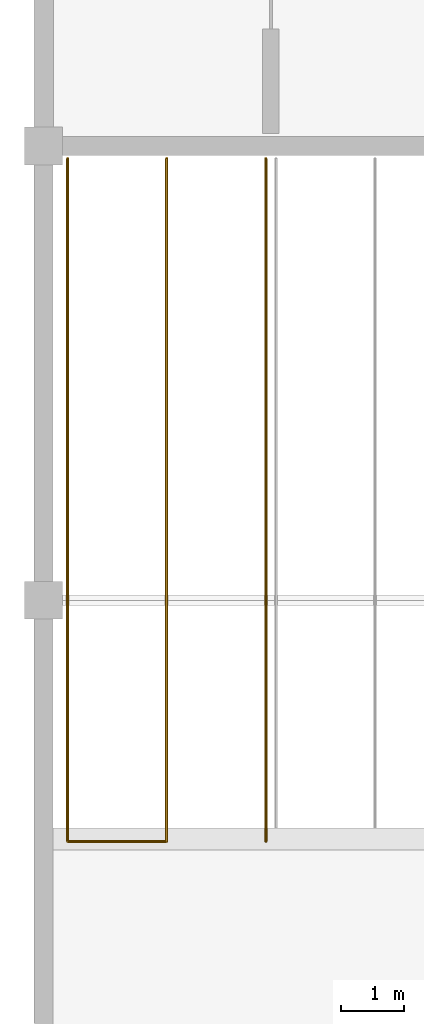
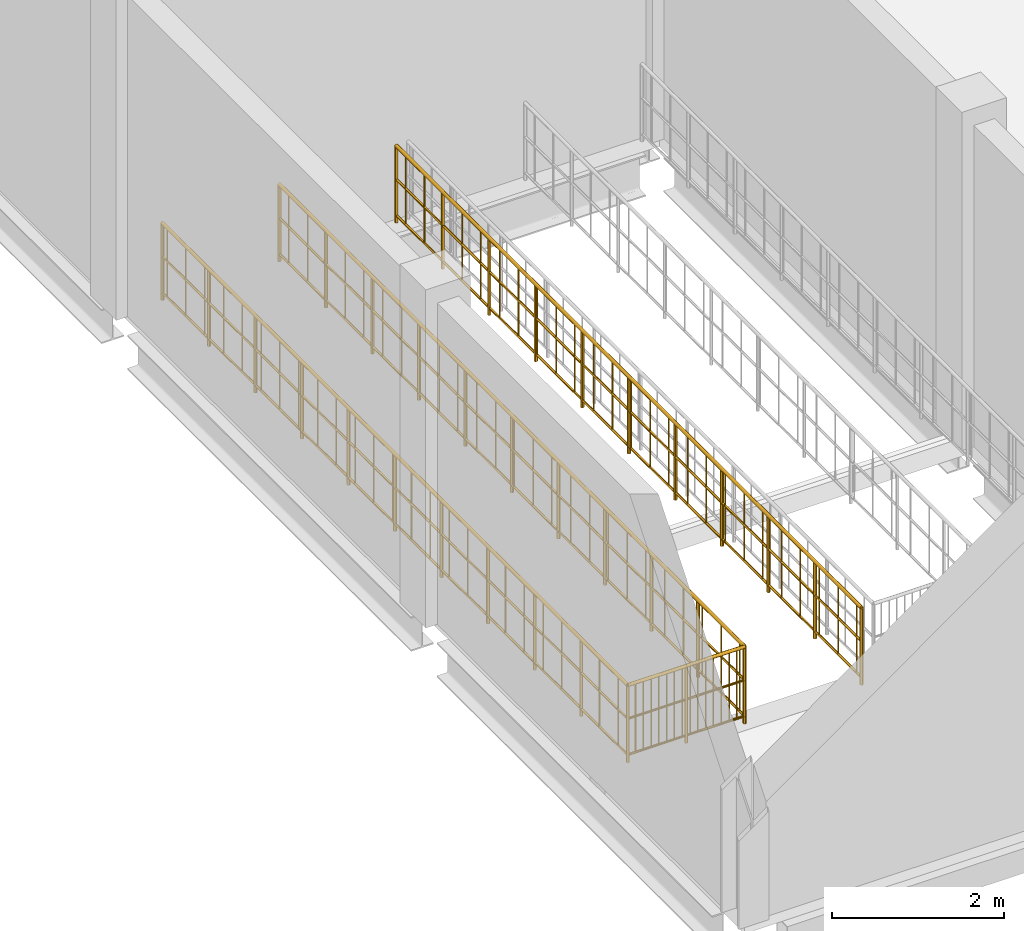
# One storey, part 103 of 120: 2 railings.
"""IFC4 building model written with IfcOpenShell, lengths in metres."""

from ifc_helpers import new_model, si_unit, direction, frame, origin, origin_2d, place, context, subcontext, project, spatial, circle, extrude, material, type_object, element, save


model = new_model("IFC4")

# Units and contexts
model_context = context("Model", 3, precision=1e-05, world=origin(), true_north=direction((0.0, 1.0)))
body_context = subcontext(model_context, "Body", "Model", "MODEL_VIEW")
ifc_project = project(units=[si_unit("LENGTHUNIT", "METRE"), si_unit("AREAUNIT", "SQUARE_METRE"), si_unit("VOLUMEUNIT", "CUBIC_METRE"), si_unit("PLANEANGLEUNIT", "RADIAN"), si_unit("MASSUNIT", "GRAM", prefix="KILO")], contexts=[model_context])

# Site, building, storey
site_placement = place(None, origin())
site = spatial("IfcSite", under=ifc_project, at=site_placement, CompositionType="ELEMENT")
building_placement = place(site_placement, origin())
building = spatial("IfcBuilding", under=site, at=building_placement, Name="Vesperath Aquatics Centre", CompositionType="ELEMENT")
storey_placement = place(building_placement, frame((0.0, 0.0, 10.199951171875)))
storey = spatial("IfcBuildingStorey", under=building, at=storey_placement, Name="L02", CompositionType="ELEMENT", Elevation=10.199951171875)

# Railings
ifc_material = material(Name="Powder-coated galvanized steel safety guard", Category="steel")
railing_type = type_object("IfcRailingType", Name="RL-GRD01", PredefinedType="GUARDRAIL", material=ifc_material)
railing_1_placement = place(storey_placement, frame((0.3798828125, 28.60009765625, 0.0)))
element("IfcRailing", 1, at=railing_1_placement, inside=storey, type_object=railing_type, Name="Stair ST10A Top Well Guard GR02 L02", PredefinedType="GUARDRAIL", context=body_context, shape_type="SweptSolid", body=[
    extrude(circle(Radius=0.02392578125, at=origin_2d()), frame((0.0, 0.0, 1.0859375), z_axis=(0.0, -1.0, 0.0), x_axis=(1.0, 0.0, 0.0)), (0.0, 0.0, 1.0), 10.820068359375),
    extrude(circle(Radius=0.01611328125, at=origin_2d()), frame((0.0, 0.0, 0.10009765625), z_axis=(0.0, -1.0, 0.0), x_axis=(1.0, 0.0, 0.0)), (0.0, 0.0, 1.0), 10.820068359375),
    extrude(circle(Radius=0.01611328125, at=origin_2d()), frame((0.0, 0.0, 0.610595703125), z_axis=(0.0, -1.0, 0.0), x_axis=(1.0, 0.0, 0.0)), (0.0, 0.0, 1.0), 10.820068359375),
    extrude(circle(Radius=0.009033203125, at=origin_2d()), frame((0.0, -0.109375, 0.10009765625)), (0.0, 0.0, 1.0), 0.9619140625),
    extrude(circle(Radius=0.009033203125, at=origin_2d()), frame((0.0, -0.54638671875, 0.10009765625)), (0.0, 0.0, 1.0), 0.9619140625),
    extrude(circle(Radius=0.009033203125, at=origin_2d()), frame((0.0, -0.983642578125, 0.10009765625)), (0.0, 0.0, 1.0), 0.9619140625),
    extrude(circle(Radius=0.009033203125, at=origin_2d()), frame((0.0, -1.4208984375, 0.10009765625)), (0.0, 0.0, 1.0), 0.9619140625),
    extrude(circle(Radius=0.009033203125, at=origin_2d()), frame((0.0, -1.85791015625, 0.10009765625)), (0.0, 0.0, 1.0), 0.9619140625),
    extrude(circle(Radius=0.009033203125, at=origin_2d()), frame((0.0, -2.295166015625, 0.10009765625)), (0.0, 0.0, 1.0), 0.9619140625),
    extrude(circle(Radius=0.009033203125, at=origin_2d()), frame((0.0, -2.732421875, 0.10009765625)), (0.0, 0.0, 1.0), 0.9619140625),
    extrude(circle(Radius=0.009033203125, at=origin_2d()), frame((0.0, -3.16943359375, 0.10009765625)), (0.0, 0.0, 1.0), 0.9619140625),
    extrude(circle(Radius=0.009033203125, at=origin_2d()), frame((0.0, -3.606689453125, 0.10009765625)), (0.0, 0.0, 1.0), 0.9619140625),
    extrude(circle(Radius=0.009033203125, at=origin_2d()), frame((0.0, -4.0439453125, 0.10009765625)), (0.0, 0.0, 1.0), 0.9619140625),
    extrude(circle(Radius=0.009033203125, at=origin_2d()), frame((0.0, -4.48095703125, 0.10009765625)), (0.0, 0.0, 1.0), 0.9619140625),
    extrude(circle(Radius=0.009033203125, at=origin_2d()), frame((0.0, -4.918212890625, 0.10009765625)), (0.0, 0.0, 1.0), 0.9619140625),
    extrude(circle(Radius=0.009033203125, at=origin_2d()), frame((0.0, -5.35546875, 0.10009765625)), (0.0, 0.0, 1.0), 0.9619140625),
    extrude(circle(Radius=0.009033203125, at=origin_2d()), frame((0.0, -5.79248046875, 0.10009765625)), (0.0, 0.0, 1.0), 0.9619140625),
    extrude(circle(Radius=0.009033203125, at=origin_2d()), frame((0.0, -6.229736328125, 0.10009765625)), (0.0, 0.0, 1.0), 0.9619140625),
    extrude(circle(Radius=0.009033203125, at=origin_2d()), frame((0.0, -6.6669921875, 0.10009765625)), (0.0, 0.0, 1.0), 0.9619140625),
    extrude(circle(Radius=0.009033203125, at=origin_2d()), frame((0.0, -7.10400390625, 0.10009765625)), (0.0, 0.0, 1.0), 0.9619140625),
    extrude(circle(Radius=0.009033203125, at=origin_2d()), frame((0.0, -7.541259765625, 0.10009765625)), (0.0, 0.0, 1.0), 0.9619140625),
    extrude(circle(Radius=0.009033203125, at=origin_2d()), frame((0.0, -7.978515625, 0.10009765625)), (0.0, 0.0, 1.0), 0.9619140625),
    extrude(circle(Radius=0.009033203125, at=origin_2d()), frame((0.0, -8.41552734375, 0.10009765625)), (0.0, 0.0, 1.0), 0.9619140625),
    extrude(circle(Radius=0.009033203125, at=origin_2d()), frame((0.0, -8.852783203125, 0.10009765625)), (0.0, 0.0, 1.0), 0.9619140625),
    extrude(circle(Radius=0.009033203125, at=origin_2d()), frame((0.0, -9.2900390625, 0.10009765625)), (0.0, 0.0, 1.0), 0.9619140625),
    extrude(circle(Radius=0.009033203125, at=origin_2d()), frame((0.0, -9.72705078125, 0.10009765625)), (0.0, 0.0, 1.0), 0.9619140625),
    extrude(circle(Radius=0.009033203125, at=origin_2d()), frame((0.0, -10.164306640625, 0.10009765625)), (0.0, 0.0, 1.0), 0.9619140625),
    extrude(circle(Radius=0.009033203125, at=origin_2d()), frame((0.0, -10.6015625, 0.10009765625)), (0.0, 0.0, 1.0), 0.9619140625),
    extrude(circle(Radius=0.02392578125, at=origin_2d()), frame((0.0, -10.820068359375, 1.0859375), z_axis=(1.0, 0.0, 0.0), x_axis=(0.0, 1.0, 0.0)), (0.0, 0.0, 1.0), 1.570068359375),
    extrude(circle(Radius=0.01611328125, at=origin_2d()), frame((0.0, -10.820068359375, 0.10009765625), z_axis=(1.0, 0.0, 0.0), x_axis=(0.0, 1.0, 0.0)), (0.0, 0.0, 1.0), 1.570068359375),
    extrude(circle(Radius=0.01611328125, at=origin_2d()), frame((0.0, -10.820068359375, 0.610595703125), z_axis=(1.0, 0.0, 0.0), x_axis=(0.0, 1.0, 0.0)), (0.0, 0.0, 1.0), 1.570068359375),
    extrude(circle(Radius=0.009033203125, at=origin_2d()), frame((0.104736328125, -10.820068359375, 0.10009765625)), (0.0, 0.0, 1.0), 0.9619140625),
    extrude(circle(Radius=0.009033203125, at=origin_2d()), frame((0.209228515625, -10.820068359375, 0.10009765625)), (0.0, 0.0, 1.0), 0.9619140625),
    extrude(circle(Radius=0.009033203125, at=origin_2d()), frame((0.31396484375, -10.820068359375, 0.10009765625)), (0.0, 0.0, 1.0), 0.9619140625),
    extrude(circle(Radius=0.009033203125, at=origin_2d()), frame((0.418701171875, -10.820068359375, 0.10009765625)), (0.0, 0.0, 1.0), 0.9619140625),
    extrude(circle(Radius=0.009033203125, at=origin_2d()), frame((0.5234375, -10.820068359375, 0.10009765625)), (0.0, 0.0, 1.0), 0.9619140625),
    extrude(circle(Radius=0.009033203125, at=origin_2d()), frame((0.6279296875, -10.820068359375, 0.10009765625)), (0.0, 0.0, 1.0), 0.9619140625),
    extrude(circle(Radius=0.009033203125, at=origin_2d()), frame((0.732666015625, -10.820068359375, 0.10009765625)), (0.0, 0.0, 1.0), 0.9619140625),
    extrude(circle(Radius=0.009033203125, at=origin_2d()), frame((0.83740234375, -10.820068359375, 0.10009765625)), (0.0, 0.0, 1.0), 0.9619140625),
    extrude(circle(Radius=0.009033203125, at=origin_2d()), frame((0.942138671875, -10.820068359375, 0.10009765625)), (0.0, 0.0, 1.0), 0.9619140625),
    extrude(circle(Radius=0.009033203125, at=origin_2d()), frame((1.046630859375, -10.820068359375, 0.10009765625)), (0.0, 0.0, 1.0), 0.9619140625),
    extrude(circle(Radius=0.009033203125, at=origin_2d()), frame((1.1513671875, -10.820068359375, 0.10009765625)), (0.0, 0.0, 1.0), 0.9619140625),
    extrude(circle(Radius=0.009033203125, at=origin_2d()), frame((1.256103515625, -10.820068359375, 0.10009765625)), (0.0, 0.0, 1.0), 0.9619140625),
    extrude(circle(Radius=0.009033203125, at=origin_2d()), frame((1.36083984375, -10.820068359375, 0.10009765625)), (0.0, 0.0, 1.0), 0.9619140625),
    extrude(circle(Radius=0.009033203125, at=origin_2d()), frame((1.46533203125, -10.820068359375, 0.10009765625)), (0.0, 0.0, 1.0), 0.9619140625),
    extrude(circle(Radius=0.02392578125, at=origin_2d()), frame((1.570068359375, -10.820068359375, 1.0859375), z_axis=(0.0, 1.0, 0.0), x_axis=(-1.0, 0.0, 0.0)), (0.0, 0.0, 1.0), 10.820068359375),
    extrude(circle(Radius=0.01611328125, at=origin_2d()), frame((1.570068359375, -10.820068359375, 0.10009765625), z_axis=(0.0, 1.0, 0.0), x_axis=(-1.0, 0.0, 0.0)), (0.0, 0.0, 1.0), 10.820068359375),
    extrude(circle(Radius=0.01611328125, at=origin_2d()), frame((1.570068359375, -10.820068359375, 0.610595703125), z_axis=(0.0, 1.0, 0.0), x_axis=(-1.0, 0.0, 0.0)), (0.0, 0.0, 1.0), 10.820068359375),
    extrude(circle(Radius=0.009033203125, at=origin_2d()), frame((1.570068359375, -10.710693359375, 0.10009765625)), (0.0, 0.0, 1.0), 0.9619140625),
    extrude(circle(Radius=0.009033203125, at=origin_2d()), frame((1.570068359375, -10.273681640625, 0.10009765625)), (0.0, 0.0, 1.0), 0.9619140625),
    extrude(circle(Radius=0.009033203125, at=origin_2d()), frame((1.570068359375, -9.83642578125, 0.10009765625)), (0.0, 0.0, 1.0), 0.9619140625),
    extrude(circle(Radius=0.009033203125, at=origin_2d()), frame((1.570068359375, -9.399169921875, 0.10009765625)), (0.0, 0.0, 1.0), 0.9619140625),
    extrude(circle(Radius=0.009033203125, at=origin_2d()), frame((1.570068359375, -8.962158203125, 0.10009765625)), (0.0, 0.0, 1.0), 0.9619140625),
    extrude(circle(Radius=0.009033203125, at=origin_2d()), frame((1.570068359375, -8.52490234375, 0.10009765625)), (0.0, 0.0, 1.0), 0.9619140625),
    extrude(circle(Radius=0.009033203125, at=origin_2d()), frame((1.570068359375, -8.087646484375, 0.10009765625)), (0.0, 0.0, 1.0), 0.9619140625),
    extrude(circle(Radius=0.009033203125, at=origin_2d()), frame((1.570068359375, -7.650634765625, 0.10009765625)), (0.0, 0.0, 1.0), 0.9619140625),
    extrude(circle(Radius=0.009033203125, at=origin_2d()), frame((1.570068359375, -7.21337890625, 0.10009765625)), (0.0, 0.0, 1.0), 0.9619140625),
    extrude(circle(Radius=0.009033203125, at=origin_2d()), frame((1.570068359375, -6.776123046875, 0.10009765625)), (0.0, 0.0, 1.0), 0.9619140625),
    extrude(circle(Radius=0.009033203125, at=origin_2d()), frame((1.570068359375, -6.339111328125, 0.10009765625)), (0.0, 0.0, 1.0), 0.9619140625),
    extrude(circle(Radius=0.009033203125, at=origin_2d()), frame((1.570068359375, -5.90185546875, 0.10009765625)), (0.0, 0.0, 1.0), 0.9619140625),
    extrude(circle(Radius=0.009033203125, at=origin_2d()), frame((1.570068359375, -5.464599609375, 0.10009765625)), (0.0, 0.0, 1.0), 0.9619140625),
    extrude(circle(Radius=0.009033203125, at=origin_2d()), frame((1.570068359375, -5.027587890625, 0.10009765625)), (0.0, 0.0, 1.0), 0.9619140625),
    extrude(circle(Radius=0.009033203125, at=origin_2d()), frame((1.570068359375, -4.59033203125, 0.10009765625)), (0.0, 0.0, 1.0), 0.9619140625),
    extrude(circle(Radius=0.009033203125, at=origin_2d()), frame((1.570068359375, -4.153076171875, 0.10009765625)), (0.0, 0.0, 1.0), 0.9619140625),
    extrude(circle(Radius=0.009033203125, at=origin_2d()), frame((1.570068359375, -3.716064453125, 0.10009765625)), (0.0, 0.0, 1.0), 0.9619140625),
    extrude(circle(Radius=0.009033203125, at=origin_2d()), frame((1.570068359375, -3.27880859375, 0.10009765625)), (0.0, 0.0, 1.0), 0.9619140625),
    extrude(circle(Radius=0.009033203125, at=origin_2d()), frame((1.570068359375, -2.841552734375, 0.10009765625)), (0.0, 0.0, 1.0), 0.9619140625),
    extrude(circle(Radius=0.009033203125, at=origin_2d()), frame((1.570068359375, -2.404541015625, 0.10009765625)), (0.0, 0.0, 1.0), 0.9619140625),
    extrude(circle(Radius=0.009033203125, at=origin_2d()), frame((1.570068359375, -1.96728515625, 0.10009765625)), (0.0, 0.0, 1.0), 0.9619140625),
    extrude(circle(Radius=0.009033203125, at=origin_2d()), frame((1.570068359375, -1.530029296875, 0.10009765625)), (0.0, 0.0, 1.0), 0.9619140625),
    extrude(circle(Radius=0.009033203125, at=origin_2d()), frame((1.570068359375, -1.093017578125, 0.10009765625)), (0.0, 0.0, 1.0), 0.9619140625),
    extrude(circle(Radius=0.009033203125, at=origin_2d()), frame((1.570068359375, -0.65576171875, 0.10009765625)), (0.0, 0.0, 1.0), 0.9619140625),
    extrude(circle(Radius=0.009033203125, at=origin_2d()), frame((1.570068359375, -0.218505859375, 0.10009765625)), (0.0, 0.0, 1.0), 0.9619140625),
    extrude(circle(Radius=0.02197265625, at=origin_2d()), origin(), (0.0, 0.0, 1.0), 1.0859375),
    extrude(circle(Radius=0.02197265625, at=origin_2d()), frame((0.0, -1.08203125, 0.0)), (0.0, 0.0, 1.0), 1.0859375),
    extrude(circle(Radius=0.02197265625, at=origin_2d()), frame((0.0, -2.1640625, 0.0)), (0.0, 0.0, 1.0), 1.0859375),
    extrude(circle(Radius=0.02197265625, at=origin_2d()), frame((0.0, -3.24609375, 0.0)), (0.0, 0.0, 1.0), 1.0859375),
    extrude(circle(Radius=0.02197265625, at=origin_2d()), frame((0.0, -4.328125, 0.0)), (0.0, 0.0, 1.0), 1.0859375),
    extrude(circle(Radius=0.02197265625, at=origin_2d()), frame((0.0, -5.41015625, 0.0)), (0.0, 0.0, 1.0), 1.0859375),
    extrude(circle(Radius=0.02197265625, at=origin_2d()), frame((0.0, -6.491943359375, 0.0)), (0.0, 0.0, 1.0), 1.0859375),
    extrude(circle(Radius=0.02197265625, at=origin_2d()), frame((0.0, -7.573974609375, 0.0)), (0.0, 0.0, 1.0), 1.0859375),
    extrude(circle(Radius=0.02197265625, at=origin_2d()), frame((0.0, -8.656005859375, 0.0)), (0.0, 0.0, 1.0), 1.0859375),
    extrude(circle(Radius=0.02197265625, at=origin_2d()), frame((0.0, -9.738037109375, 0.0)), (0.0, 0.0, 1.0), 1.0859375),
    extrude(circle(Radius=0.02197265625, at=origin_2d()), frame((0.0, -10.820068359375, 0.0)), (0.0, 0.0, 1.0), 1.0859375),
    extrude(circle(Radius=0.02197265625, at=origin_2d()), frame((0.78515625, -10.820068359375, 0.0)), (0.0, 0.0, 1.0), 1.0859375),
    extrude(circle(Radius=0.02197265625, at=origin_2d()), frame((1.570068359375, -10.820068359375, 0.0)), (0.0, 0.0, 1.0), 1.0859375),
    extrude(circle(Radius=0.02197265625, at=origin_2d()), frame((1.570068359375, -9.738037109375, 0.0)), (0.0, 0.0, 1.0), 1.0859375),
    extrude(circle(Radius=0.02197265625, at=origin_2d()), frame((1.570068359375, -8.656005859375, 0.0)), (0.0, 0.0, 1.0), 1.0859375),
    extrude(circle(Radius=0.02197265625, at=origin_2d()), frame((1.570068359375, -7.573974609375, 0.0)), (0.0, 0.0, 1.0), 1.0859375),
    extrude(circle(Radius=0.02197265625, at=origin_2d()), frame((1.570068359375, -6.491943359375, 0.0)), (0.0, 0.0, 1.0), 1.0859375),
    extrude(circle(Radius=0.02197265625, at=origin_2d()), frame((1.570068359375, -5.41015625, 0.0)), (0.0, 0.0, 1.0), 1.0859375),
    extrude(circle(Radius=0.02197265625, at=origin_2d()), frame((1.570068359375, -4.328125, 0.0)), (0.0, 0.0, 1.0), 1.0859375),
    extrude(circle(Radius=0.02197265625, at=origin_2d()), frame((1.570068359375, -3.24609375, 0.0)), (0.0, 0.0, 1.0), 1.0859375),
    extrude(circle(Radius=0.02197265625, at=origin_2d()), frame((1.570068359375, -2.1640625, 0.0)), (0.0, 0.0, 1.0), 1.0859375),
    extrude(circle(Radius=0.02197265625, at=origin_2d()), frame((1.570068359375, -1.08203125, 0.0)), (0.0, 0.0, 1.0), 1.0859375),
    extrude(circle(Radius=0.02197265625, at=origin_2d()), frame((1.570068359375, 0.0, 0.0)), (0.0, 0.0, 1.0), 1.0859375),
])
railing_2_placement = place(storey_placement, frame((3.52001953125, 17.780029296875, 0.0)))
element("IfcRailing", 2, at=railing_2_placement, inside=storey, type_object=railing_type, Name="Stair ST10A Top Side Guard GR02 L02", PredefinedType="GUARDRAIL", context=body_context, shape_type="SweptSolid", body=[
    extrude(circle(Radius=0.02392578125, at=origin_2d()), frame((0.0, 0.0, 1.0859375), z_axis=(0.0, 1.0, 0.0), x_axis=(-1.0, 0.0, 0.0)), (0.0, 0.0, 1.0), 10.820068359375),
    extrude(circle(Radius=0.01611328125, at=origin_2d()), frame((0.0, 0.0, 0.10009765625), z_axis=(0.0, 1.0, 0.0), x_axis=(-1.0, 0.0, 0.0)), (0.0, 0.0, 1.0), 10.820068359375),
    extrude(circle(Radius=0.01611328125, at=origin_2d()), frame((0.0, 0.0, 0.610595703125), z_axis=(0.0, 1.0, 0.0), x_axis=(-1.0, 0.0, 0.0)), (0.0, 0.0, 1.0), 10.820068359375),
    extrude(circle(Radius=0.009033203125, at=origin_2d()), frame((0.0, 0.109375, 0.10009765625)), (0.0, 0.0, 1.0), 0.9619140625),
    extrude(circle(Radius=0.009033203125, at=origin_2d()), frame((0.0, 0.54638671875, 0.10009765625)), (0.0, 0.0, 1.0), 0.9619140625),
    extrude(circle(Radius=0.009033203125, at=origin_2d()), frame((0.0, 0.983642578125, 0.10009765625)), (0.0, 0.0, 1.0), 0.9619140625),
    extrude(circle(Radius=0.009033203125, at=origin_2d()), frame((0.0, 1.4208984375, 0.10009765625)), (0.0, 0.0, 1.0), 0.9619140625),
    extrude(circle(Radius=0.009033203125, at=origin_2d()), frame((0.0, 1.85791015625, 0.10009765625)), (0.0, 0.0, 1.0), 0.9619140625),
    extrude(circle(Radius=0.009033203125, at=origin_2d()), frame((0.0, 2.295166015625, 0.10009765625)), (0.0, 0.0, 1.0), 0.9619140625),
    extrude(circle(Radius=0.009033203125, at=origin_2d()), frame((0.0, 2.732421875, 0.10009765625)), (0.0, 0.0, 1.0), 0.9619140625),
    extrude(circle(Radius=0.009033203125, at=origin_2d()), frame((0.0, 3.16943359375, 0.10009765625)), (0.0, 0.0, 1.0), 0.9619140625),
    extrude(circle(Radius=0.009033203125, at=origin_2d()), frame((0.0, 3.606689453125, 0.10009765625)), (0.0, 0.0, 1.0), 0.9619140625),
    extrude(circle(Radius=0.009033203125, at=origin_2d()), frame((0.0, 4.0439453125, 0.10009765625)), (0.0, 0.0, 1.0), 0.9619140625),
    extrude(circle(Radius=0.009033203125, at=origin_2d()), frame((0.0, 4.48095703125, 0.10009765625)), (0.0, 0.0, 1.0), 0.9619140625),
    extrude(circle(Radius=0.009033203125, at=origin_2d()), frame((0.0, 4.918212890625, 0.10009765625)), (0.0, 0.0, 1.0), 0.9619140625),
    extrude(circle(Radius=0.009033203125, at=origin_2d()), frame((0.0, 5.35546875, 0.10009765625)), (0.0, 0.0, 1.0), 0.9619140625),
    extrude(circle(Radius=0.009033203125, at=origin_2d()), frame((0.0, 5.79248046875, 0.10009765625)), (0.0, 0.0, 1.0), 0.9619140625),
    extrude(circle(Radius=0.009033203125, at=origin_2d()), frame((0.0, 6.229736328125, 0.10009765625)), (0.0, 0.0, 1.0), 0.9619140625),
    extrude(circle(Radius=0.009033203125, at=origin_2d()), frame((0.0, 6.6669921875, 0.10009765625)), (0.0, 0.0, 1.0), 0.9619140625),
    extrude(circle(Radius=0.009033203125, at=origin_2d()), frame((0.0, 7.10400390625, 0.10009765625)), (0.0, 0.0, 1.0), 0.9619140625),
    extrude(circle(Radius=0.009033203125, at=origin_2d()), frame((0.0, 7.541259765625, 0.10009765625)), (0.0, 0.0, 1.0), 0.9619140625),
    extrude(circle(Radius=0.009033203125, at=origin_2d()), frame((0.0, 7.978515625, 0.10009765625)), (0.0, 0.0, 1.0), 0.9619140625),
    extrude(circle(Radius=0.009033203125, at=origin_2d()), frame((0.0, 8.41552734375, 0.10009765625)), (0.0, 0.0, 1.0), 0.9619140625),
    extrude(circle(Radius=0.009033203125, at=origin_2d()), frame((0.0, 8.852783203125, 0.10009765625)), (0.0, 0.0, 1.0), 0.9619140625),
    extrude(circle(Radius=0.009033203125, at=origin_2d()), frame((0.0, 9.2900390625, 0.10009765625)), (0.0, 0.0, 1.0), 0.9619140625),
    extrude(circle(Radius=0.009033203125, at=origin_2d()), frame((0.0, 9.72705078125, 0.10009765625)), (0.0, 0.0, 1.0), 0.9619140625),
    extrude(circle(Radius=0.009033203125, at=origin_2d()), frame((0.0, 10.164306640625, 0.10009765625)), (0.0, 0.0, 1.0), 0.9619140625),
    extrude(circle(Radius=0.009033203125, at=origin_2d()), frame((0.0, 10.6015625, 0.10009765625)), (0.0, 0.0, 1.0), 0.9619140625),
    extrude(circle(Radius=0.02197265625, at=origin_2d()), origin(), (0.0, 0.0, 1.0), 1.0859375),
    extrude(circle(Radius=0.02197265625, at=origin_2d()), frame((0.0, 1.08203125, 0.0)), (0.0, 0.0, 1.0), 1.0859375),
    extrude(circle(Radius=0.02197265625, at=origin_2d()), frame((0.0, 2.1640625, 0.0)), (0.0, 0.0, 1.0), 1.0859375),
    extrude(circle(Radius=0.02197265625, at=origin_2d()), frame((0.0, 3.24609375, 0.0)), (0.0, 0.0, 1.0), 1.0859375),
    extrude(circle(Radius=0.02197265625, at=origin_2d()), frame((0.0, 4.328125, 0.0)), (0.0, 0.0, 1.0), 1.0859375),
    extrude(circle(Radius=0.02197265625, at=origin_2d()), frame((0.0, 5.41015625, 0.0)), (0.0, 0.0, 1.0), 1.0859375),
    extrude(circle(Radius=0.02197265625, at=origin_2d()), frame((0.0, 6.491943359375, 0.0)), (0.0, 0.0, 1.0), 1.0859375),
    extrude(circle(Radius=0.02197265625, at=origin_2d()), frame((0.0, 7.573974609375, 0.0)), (0.0, 0.0, 1.0), 1.0859375),
    extrude(circle(Radius=0.02197265625, at=origin_2d()), frame((0.0, 8.656005859375, 0.0)), (0.0, 0.0, 1.0), 1.0859375),
    extrude(circle(Radius=0.02197265625, at=origin_2d()), frame((0.0, 9.738037109375, 0.0)), (0.0, 0.0, 1.0), 1.0859375),
    extrude(circle(Radius=0.02197265625, at=origin_2d()), frame((0.0, 10.820068359375, 0.0)), (0.0, 0.0, 1.0), 1.0859375),
])

save(model, "model.ifc")
